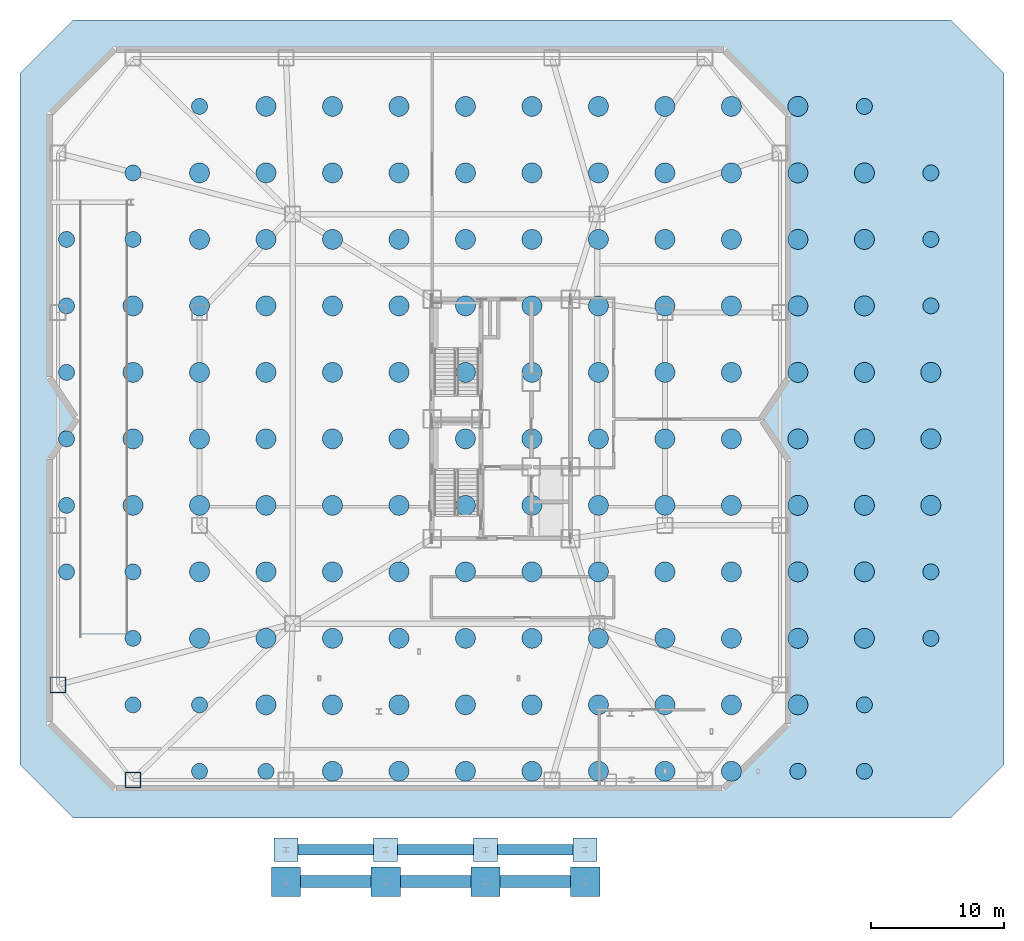
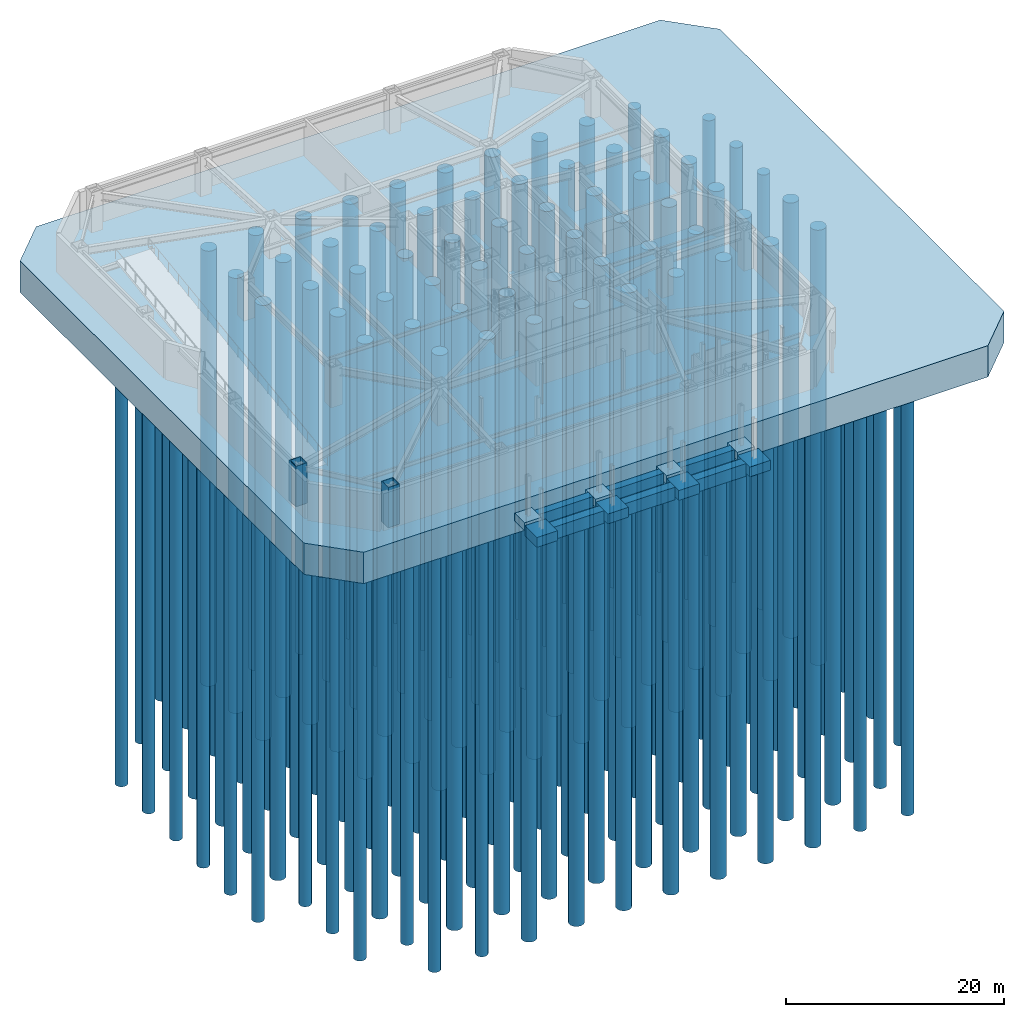
# One storey, part 1 of 15: 144 piles, 15 footings, 2 columns.
"""IFC4 building model written with IfcOpenShell, lengths in metres."""

from ifc_helpers import new_model, si_unit, direction, frame, origin, origin_2d, place, context, subcontext, project, spatial, polyline, rectangle, hollow_rectangle, circle, outline, extrude, material, layer, layer_set, material_profile, profile_set, type_object, element, save


model = new_model("IFC4")

# Units and contexts
model_context = context("Model", 3, precision=1e-05, world=origin(), true_north=direction((0.0, 1.0)))
body_context = subcontext(model_context, "Body", "Model", "MODEL_VIEW")
ifc_project = project(units=[si_unit("LENGTHUNIT", "METRE"), si_unit("AREAUNIT", "SQUARE_METRE"), si_unit("VOLUMEUNIT", "CUBIC_METRE"), si_unit("PLANEANGLEUNIT", "RADIAN"), si_unit("MASSUNIT", "GRAM", prefix="KILO")], contexts=[model_context])

# Site, building, storey
site_placement = place(None, origin())
site = spatial("IfcSite", under=ifc_project, at=site_placement, CompositionType="ELEMENT")
building_placement = place(site_placement, origin())
building = spatial("IfcBuilding", under=site, at=building_placement, Name="Khamvora Tower", CompositionType="ELEMENT")
storey_placement = place(building_placement, frame((0.0, 0.0, -9.0)))
storey = spatial("IfcBuildingStorey", under=building, at=storey_placement, Name="B2", CompositionType="ELEMENT", Elevation=-9.0)

# Footings
ifc_material_1 = material(Name="Concrete C40/50", Category="concrete")
ifc_material_profile_1 = material_profile(ifc_material_1, rectangle(XDim=0.800048828125, YDim=1.199951171875, at=origin_2d()), Name="CB800x1200")
ifc_profile_set_1 = profile_set([ifc_material_profile_1], Name="Concrete C40/50")
footing_type_1 = type_object("IfcFootingType", Name="FTG-CB-800x1200", PredefinedType="FOOTING_BEAM", material=ifc_profile_set_1)
for number, where, z_axis, x_axis, name in (
    (1, (18.89990234375, -4.39990234375, -0.60009765625), (1.0, 0.0, 0.0), (0.0, 1.0, 0.0), "Forecourt continuous ground tie beam S21"),
    (2, (26.39990234375, -4.39990234375, -0.60009765625), (1.0, 0.0, 0.0), (0.0, 1.0, 0.0), "Forecourt continuous ground tie beam S22"),
    (3, (33.89990234375, -4.39990234375, -0.60009765625), (1.0, 0.0, 0.0), (0.0, 1.0, 0.0), "Forecourt continuous ground tie beam S23"),
):
    element("IfcFooting", number, at=place(storey_placement, frame(where, z_axis=z_axis, x_axis=x_axis)), inside=storey, type_object=footing_type_1, Name=name, PredefinedType="FOOTING_BEAM", context=body_context, shape_type="SweptSolid", body=[
        extrude(rectangle(XDim=0.800048828125, YDim=1.199951171875, at=origin_2d()), origin(), (0.0, 0.0, 1.0), 5.7001953125),
    ])
ifc_material_profile_2 = material_profile(ifc_material_1, rectangle(XDim=0.89990234375, YDim=1.39990234375, at=origin_2d()), Name="GB900x1400")
ifc_profile_set_2 = profile_set([ifc_material_profile_2], Name="Concrete C40/50")
footing_type_2 = type_object("IfcFootingType", Name="FTG-GB-900x1400", PredefinedType="FOOTING_BEAM", material=ifc_profile_set_2)
for number, where, z_axis, x_axis, name in (
    (4, (19.10009765625, -6.800048828125, -0.699951171875), (1.0, 0.0, 0.0), (0.0, 1.0, 0.0), "Forecourt continuous ground tie beam S11"),
    (5, (26.60009765625, -6.800048828125, -0.699951171875), (1.0, 0.0, 0.0), (0.0, 1.0, 0.0), "Forecourt continuous ground tie beam S12"),
    (6, (34.10009765625, -6.800048828125, -0.699951171875), (1.0, 0.0, 0.0), (0.0, 1.0, 0.0), "Forecourt continuous ground tie beam S13"),
):
    element("IfcFooting", number, at=place(storey_placement, frame(where, z_axis=z_axis, x_axis=x_axis)), inside=storey, type_object=footing_type_2, Name=name, PredefinedType="FOOTING_BEAM", context=body_context, shape_type="SweptSolid", body=[
        extrude(rectangle(XDim=0.89990234375, YDim=1.39990234375, at=origin_2d()), origin(), (0.0, 0.0, 1.0), 5.2998046875),
    ])
footing_type_3 = type_object("IfcFootingType", Name="FTG-PAD-1800", PredefinedType="PAD_FOOTING", material=ifc_material_1)
for number, where, z_axis, x_axis, name in (
    (7, (18.0, -4.39990234375, -0.89990234375), (0.0, 0.0, 1.0), (1.0, 0.0, 0.0), "South forecourt canopy pad footing S21"),
    (8, (25.5, -4.39990234375, -0.89990234375), (0.0, 0.0, 1.0), (1.0, 0.0, 0.0), "South forecourt canopy pad footing S22"),
    (9, (33.0, -4.39990234375, -0.89990234375), (0.0, 0.0, 1.0), (1.0, 0.0, 0.0), "South forecourt canopy pad footing S23"),
    (10, (40.5, -4.39990234375, -0.89990234375), (0.0, 0.0, 1.0), (1.0, 0.0, 0.0), "South forecourt canopy pad footing S24"),
):
    element("IfcFooting", number, at=place(storey_placement, frame(where, z_axis=z_axis, x_axis=x_axis)), inside=storey, type_object=footing_type_3, Name=name, PredefinedType="PAD_FOOTING", context=body_context, shape_type="SweptSolid", body=[
        extrude(rectangle(XDim=1.800048828125, YDim=1.800048828125, at=origin_2d()), origin(), (0.0, 0.0, 1.0), 0.89990234375),
    ])
footing_type_4 = type_object("IfcFootingType", Name="FTG-PAD-2200", PredefinedType="PAD_FOOTING", material=ifc_material_1)
for number, where, z_axis, x_axis, name in (
    (11, (18.0, -6.800048828125, -1.10009765625), (0.0, 0.0, 1.0), (1.0, 0.0, 0.0), "South forecourt canopy pad footing S11"),
    (12, (25.5, -6.800048828125, -1.10009765625), (0.0, 0.0, 1.0), (1.0, 0.0, 0.0), "South forecourt canopy pad footing S12"),
    (13, (33.0, -6.800048828125, -1.10009765625), (0.0, 0.0, 1.0), (1.0, 0.0, 0.0), "South forecourt canopy pad footing S13"),
    (14, (40.5, -6.800048828125, -1.10009765625), (0.0, 0.0, 1.0), (1.0, 0.0, 0.0), "South forecourt canopy pad footing S14"),
):
    element("IfcFooting", number, at=place(storey_placement, frame(where, z_axis=z_axis, x_axis=x_axis)), inside=storey, type_object=footing_type_4, Name=name, PredefinedType="PAD_FOOTING", context=body_context, shape_type="SweptSolid", body=[
        extrude(rectangle(XDim=2.199951171875, YDim=2.199951171875, at=origin_2d()), origin(), (0.0, 0.0, 1.0), 1.10009765625),
    ])
ifc_material_2 = material(Name="Concrete C50/60", Category="concrete")
ifc_layer = layer(ifc_material_2, 3.5)
ifc_layer_set = layer_set([ifc_layer], Name="Concrete C50/60")
footing_type_5 = type_object("IfcFootingType", Name="FTG-RAFT-3500", PredefinedType="USERDEFINED", material=ifc_layer_set)
footing_placement = place(storey_placement, frame((0.0, 0.0, -3.5)))
element("IfcFooting", 15, at=footing_placement, inside=storey, type_object=footing_type_5, Name="Monolithic Piled Raft Foundation", ObjectType="PILED RAFT", PredefinedType="USERDEFINED", context=body_context, shape_type="SweptSolid", body=[
    extrude(outline(polyline([(2.0, -2.0), (68.0, -2.0), (72.0, 2.0), (72.0, 26.0), (72.0, 28.0), (72.0, 30.0), (72.0, 54.0), (68.0, 58.0), (2.0, 58.0), (-2.0, 54.0), (-2.0, 30.0), (-2.0, 28.0), (-2.0, 26.0), (-2.0, 2.0), (2.0, -2.0)])), origin(), (0.0, 0.0, 1.0), 3.5),
])

# Piles
ifc_material_profile_3 = material_profile(ifc_material_1, circle(Radius=0.60009765625, at=origin_2d()), Name="PILE_D1200")
ifc_profile_set_3 = profile_set([ifc_material_profile_3], Name="Concrete C40/50")
pile_type_1 = type_object("IfcPileType", Name="PILE-BORED-1200", PredefinedType="BORED", material=ifc_profile_set_3)
for number, where, z_axis, x_axis, name in (
    (16, (1.5, 16.5, -3.35009765625), (0.0, 0.0, -1.0), (1.0, 0.0, 0.0), "Bored foundation pile D1200 001"),
    (17, (1.5, 21.5, -3.35009765625), (0.0, 0.0, -1.0), (1.0, 0.0, 0.0), "Bored foundation pile D1200 002"),
    (18, (1.5, 26.5, -3.35009765625), (0.0, 0.0, -1.0), (1.0, 0.0, 0.0), "Bored foundation pile D1200 003"),
    (19, (1.5, 31.5, -3.35009765625), (0.0, 0.0, -1.0), (1.0, 0.0, 0.0), "Bored foundation pile D1200 004"),
    (20, (1.5, 36.5, -3.35009765625), (0.0, 0.0, -1.0), (1.0, 0.0, 0.0), "Bored foundation pile D1200 005"),
    (21, (1.5, 41.5, -3.35009765625), (0.0, 0.0, -1.0), (1.0, 0.0, 0.0), "Bored foundation pile D1200 006"),
    (22, (6.5, 6.5, -3.35009765625), (0.0, 0.0, -1.0), (1.0, 0.0, 0.0), "Bored foundation pile D1200 007"),
    (23, (6.5, 11.5, -3.35009765625), (0.0, 0.0, -1.0), (1.0, 0.0, 0.0), "Bored foundation pile D1200 008"),
    (24, (6.5, 16.5, -3.35009765625), (0.0, 0.0, -1.0), (1.0, 0.0, 0.0), "Bored foundation pile D1200 009"),
    (25, (6.5, 41.5, -3.35009765625), (0.0, 0.0, -1.0), (1.0, 0.0, 0.0), "Bored foundation pile D1200 010"),
    (26, (6.5, 46.5, -3.35009765625), (0.0, 0.0, -1.0), (1.0, 0.0, 0.0), "Bored foundation pile D1200 011"),
    (27, (11.5, 1.5, -3.35009765625), (0.0, 0.0, -1.0), (1.0, 0.0, 0.0), "Bored foundation pile D1200 012"),
    (28, (11.5, 6.5, -3.35009765625), (0.0, 0.0, -1.0), (1.0, 0.0, 0.0), "Bored foundation pile D1200 013"),
    (29, (11.5, 51.5, -3.35009765625), (0.0, 0.0, -1.0), (1.0, 0.0, 0.0), "Bored foundation pile D1200 014"),
    (30, (16.5, 1.5, -3.35009765625), (0.0, 0.0, -1.0), (1.0, 0.0, 0.0), "Bored foundation pile D1200 015"),
    (31, (56.5, 1.5, -3.35009765625), (0.0, 0.0, -1.0), (1.0, 0.0, 0.0), "Bored foundation pile D1200 016"),
    (32, (61.5, 1.5, -3.35009765625), (0.0, 0.0, -1.0), (1.0, 0.0, 0.0), "Bored foundation pile D1200 017"),
    (33, (61.5, 6.5, -3.35009765625), (0.0, 0.0, -1.0), (1.0, 0.0, 0.0), "Bored foundation pile D1200 018"),
    (34, (61.5, 51.5, -3.35009765625), (0.0, 0.0, -1.0), (1.0, 0.0, 0.0), "Bored foundation pile D1200 019"),
    (35, (66.5, 11.5, -3.35009765625), (0.0, 0.0, -1.0), (1.0, 0.0, 0.0), "Bored foundation pile D1200 020"),
    (36, (66.5, 16.5, -3.35009765625), (0.0, 0.0, -1.0), (1.0, 0.0, 0.0), "Bored foundation pile D1200 021"),
    (37, (66.5, 36.5, -3.35009765625), (0.0, 0.0, -1.0), (1.0, 0.0, 0.0), "Bored foundation pile D1200 022"),
    (38, (66.5, 41.5, -3.35009765625), (0.0, 0.0, -1.0), (1.0, 0.0, 0.0), "Bored foundation pile D1200 023"),
    (39, (66.5, 46.5, -3.35009765625), (0.0, 0.0, -1.0), (1.0, 0.0, 0.0), "Bored foundation pile D1200 024"),
):
    element("IfcPile", number, at=place(storey_placement, frame(where, z_axis=z_axis, x_axis=x_axis)), inside=storey, type_object=pile_type_1, Name=name, PredefinedType="BORED", context=body_context, shape_type="SweptSolid", body=[
        extrude(circle(Radius=0.60009765625, at=origin_2d()), origin(), (0.0, 0.0, 1.0), 48.64990234375),
    ])
ifc_material_profile_4 = material_profile(ifc_material_1, circle(Radius=0.75, at=origin_2d()), Name="PILE_D1500")
ifc_profile_set_4 = profile_set([ifc_material_profile_4], Name="Concrete C40/50")
pile_type_2 = type_object("IfcPileType", Name="PILE-BORED-1500", PredefinedType="BORED", material=ifc_profile_set_4)
for number, where, z_axis, x_axis, name in (
    (40, (6.5, 21.5, -3.35009765625), (0.0, 0.0, -1.0), (1.0, 0.0, 0.0), "Bored foundation pile D1500 001"),
    (41, (6.5, 26.5, -3.35009765625), (0.0, 0.0, -1.0), (1.0, 0.0, 0.0), "Bored foundation pile D1500 002"),
    (42, (6.5, 31.5, -3.35009765625), (0.0, 0.0, -1.0), (1.0, 0.0, 0.0), "Bored foundation pile D1500 003"),
    (43, (6.5, 36.5, -3.35009765625), (0.0, 0.0, -1.0), (1.0, 0.0, 0.0), "Bored foundation pile D1500 004"),
    (44, (11.5, 11.5, -3.35009765625), (0.0, 0.0, -1.0), (1.0, 0.0, 0.0), "Bored foundation pile D1500 005"),
    (45, (11.5, 16.5, -3.35009765625), (0.0, 0.0, -1.0), (1.0, 0.0, 0.0), "Bored foundation pile D1500 006"),
    (46, (11.5, 21.5, -3.35009765625), (0.0, 0.0, -1.0), (1.0, 0.0, 0.0), "Bored foundation pile D1500 007"),
    (47, (11.5, 26.5, -3.35009765625), (0.0, 0.0, -1.0), (1.0, 0.0, 0.0), "Bored foundation pile D1500 008"),
    (48, (11.5, 31.5, -3.35009765625), (0.0, 0.0, -1.0), (1.0, 0.0, 0.0), "Bored foundation pile D1500 009"),
    (49, (11.5, 36.5, -3.35009765625), (0.0, 0.0, -1.0), (1.0, 0.0, 0.0), "Bored foundation pile D1500 010"),
    (50, (11.5, 41.5, -3.35009765625), (0.0, 0.0, -1.0), (1.0, 0.0, 0.0), "Bored foundation pile D1500 011"),
    (51, (11.5, 46.5, -3.35009765625), (0.0, 0.0, -1.0), (1.0, 0.0, 0.0), "Bored foundation pile D1500 012"),
    (52, (16.5, 6.5, -3.35009765625), (0.0, 0.0, -1.0), (1.0, 0.0, 0.0), "Bored foundation pile D1500 013"),
    (53, (16.5, 11.5, -3.35009765625), (0.0, 0.0, -1.0), (1.0, 0.0, 0.0), "Bored foundation pile D1500 014"),
    (54, (16.5, 16.5, -3.35009765625), (0.0, 0.0, -1.0), (1.0, 0.0, 0.0), "Bored foundation pile D1500 015"),
    (55, (16.5, 21.5, -3.35009765625), (0.0, 0.0, -1.0), (1.0, 0.0, 0.0), "Bored foundation pile D1500 016"),
    (56, (16.5, 26.5, -3.35009765625), (0.0, 0.0, -1.0), (1.0, 0.0, 0.0), "Bored foundation pile D1500 017"),
    (57, (16.5, 31.5, -3.35009765625), (0.0, 0.0, -1.0), (1.0, 0.0, 0.0), "Bored foundation pile D1500 018"),
    (58, (16.5, 36.5, -3.35009765625), (0.0, 0.0, -1.0), (1.0, 0.0, 0.0), "Bored foundation pile D1500 019"),
    (59, (16.5, 41.5, -3.35009765625), (0.0, 0.0, -1.0), (1.0, 0.0, 0.0), "Bored foundation pile D1500 020"),
    (60, (16.5, 46.5, -3.35009765625), (0.0, 0.0, -1.0), (1.0, 0.0, 0.0), "Bored foundation pile D1500 021"),
    (61, (16.5, 51.5, -3.35009765625), (0.0, 0.0, -1.0), (1.0, 0.0, 0.0), "Bored foundation pile D1500 022"),
    (62, (21.5, 1.5, -3.35009765625), (0.0, 0.0, -1.0), (1.0, 0.0, 0.0), "Bored foundation pile D1500 023"),
    (63, (21.5, 6.5, -3.35009765625), (0.0, 0.0, -1.0), (1.0, 0.0, 0.0), "Bored foundation pile D1500 024"),
    (64, (21.5, 11.5, -3.35009765625), (0.0, 0.0, -1.0), (1.0, 0.0, 0.0), "Bored foundation pile D1500 025"),
    (65, (21.5, 16.5, -3.35009765625), (0.0, 0.0, -1.0), (1.0, 0.0, 0.0), "Bored foundation pile D1500 026"),
    (66, (21.5, 21.5, -3.35009765625), (0.0, 0.0, -1.0), (1.0, 0.0, 0.0), "Bored foundation pile D1500 027"),
    (67, (21.5, 26.5, -3.35009765625), (0.0, 0.0, -1.0), (1.0, 0.0, 0.0), "Bored foundation pile D1500 028"),
    (68, (21.5, 31.5, -3.35009765625), (0.0, 0.0, -1.0), (1.0, 0.0, 0.0), "Bored foundation pile D1500 029"),
    (69, (21.5, 36.5, -3.35009765625), (0.0, 0.0, -1.0), (1.0, 0.0, 0.0), "Bored foundation pile D1500 030"),
    (70, (21.5, 41.5, -3.35009765625), (0.0, 0.0, -1.0), (1.0, 0.0, 0.0), "Bored foundation pile D1500 031"),
    (71, (21.5, 46.5, -3.35009765625), (0.0, 0.0, -1.0), (1.0, 0.0, 0.0), "Bored foundation pile D1500 032"),
    (72, (21.5, 51.5, -3.35009765625), (0.0, 0.0, -1.0), (1.0, 0.0, 0.0), "Bored foundation pile D1500 033"),
    (73, (26.5, 1.5, -3.35009765625), (0.0, 0.0, -1.0), (1.0, 0.0, 0.0), "Bored foundation pile D1500 034"),
    (74, (26.5, 6.5, -3.35009765625), (0.0, 0.0, -1.0), (1.0, 0.0, 0.0), "Bored foundation pile D1500 035"),
    (75, (26.5, 11.5, -3.35009765625), (0.0, 0.0, -1.0), (1.0, 0.0, 0.0), "Bored foundation pile D1500 036"),
    (76, (26.5, 16.5, -3.35009765625), (0.0, 0.0, -1.0), (1.0, 0.0, 0.0), "Bored foundation pile D1500 037"),
    (77, (26.5, 21.5, -3.35009765625), (0.0, 0.0, -1.0), (1.0, 0.0, 0.0), "Bored foundation pile D1500 038"),
    (78, (26.5, 26.5, -3.35009765625), (0.0, 0.0, -1.0), (1.0, 0.0, 0.0), "Bored foundation pile D1500 039"),
    (79, (26.5, 31.5, -3.35009765625), (0.0, 0.0, -1.0), (1.0, 0.0, 0.0), "Bored foundation pile D1500 040"),
    (80, (26.5, 36.5, -3.35009765625), (0.0, 0.0, -1.0), (1.0, 0.0, 0.0), "Bored foundation pile D1500 041"),
    (81, (26.5, 41.5, -3.35009765625), (0.0, 0.0, -1.0), (1.0, 0.0, 0.0), "Bored foundation pile D1500 042"),
    (82, (26.5, 46.5, -3.35009765625), (0.0, 0.0, -1.0), (1.0, 0.0, 0.0), "Bored foundation pile D1500 043"),
    (83, (26.5, 51.5, -3.35009765625), (0.0, 0.0, -1.0), (1.0, 0.0, 0.0), "Bored foundation pile D1500 044"),
    (84, (31.5, 1.5, -3.35009765625), (0.0, 0.0, -1.0), (1.0, 0.0, 0.0), "Bored foundation pile D1500 045"),
    (85, (31.5, 6.5, -3.35009765625), (0.0, 0.0, -1.0), (1.0, 0.0, 0.0), "Bored foundation pile D1500 046"),
    (86, (31.5, 11.5, -3.35009765625), (0.0, 0.0, -1.0), (1.0, 0.0, 0.0), "Bored foundation pile D1500 047"),
    (87, (31.5, 16.5, -3.35009765625), (0.0, 0.0, -1.0), (1.0, 0.0, 0.0), "Bored foundation pile D1500 048"),
    (88, (31.5, 21.5, -3.35009765625), (0.0, 0.0, -1.0), (1.0, 0.0, 0.0), "Bored foundation pile D1500 049"),
    (89, (31.5, 26.5, -3.35009765625), (0.0, 0.0, -1.0), (1.0, 0.0, 0.0), "Bored foundation pile D1500 050"),
    (90, (31.5, 31.5, -3.35009765625), (0.0, 0.0, -1.0), (1.0, 0.0, 0.0), "Bored foundation pile D1500 051"),
    (91, (31.5, 36.5, -3.35009765625), (0.0, 0.0, -1.0), (1.0, 0.0, 0.0), "Bored foundation pile D1500 052"),
    (92, (31.5, 41.5, -3.35009765625), (0.0, 0.0, -1.0), (1.0, 0.0, 0.0), "Bored foundation pile D1500 053"),
    (93, (31.5, 46.5, -3.35009765625), (0.0, 0.0, -1.0), (1.0, 0.0, 0.0), "Bored foundation pile D1500 054"),
    (94, (31.5, 51.5, -3.35009765625), (0.0, 0.0, -1.0), (1.0, 0.0, 0.0), "Bored foundation pile D1500 055"),
    (95, (36.5, 1.5, -3.35009765625), (0.0, 0.0, -1.0), (1.0, 0.0, 0.0), "Bored foundation pile D1500 056"),
    (96, (36.5, 6.5, -3.35009765625), (0.0, 0.0, -1.0), (1.0, 0.0, 0.0), "Bored foundation pile D1500 057"),
    (97, (36.5, 11.5, -3.35009765625), (0.0, 0.0, -1.0), (1.0, 0.0, 0.0), "Bored foundation pile D1500 058"),
    (98, (36.5, 16.5, -3.35009765625), (0.0, 0.0, -1.0), (1.0, 0.0, 0.0), "Bored foundation pile D1500 059"),
    (99, (36.5, 21.5, -3.35009765625), (0.0, 0.0, -1.0), (1.0, 0.0, 0.0), "Bored foundation pile D1500 060"),
    (100, (36.5, 26.5, -3.35009765625), (0.0, 0.0, -1.0), (1.0, 0.0, 0.0), "Bored foundation pile D1500 061"),
    (101, (36.5, 31.5, -3.35009765625), (0.0, 0.0, -1.0), (1.0, 0.0, 0.0), "Bored foundation pile D1500 062"),
    (102, (36.5, 36.5, -3.35009765625), (0.0, 0.0, -1.0), (1.0, 0.0, 0.0), "Bored foundation pile D1500 063"),
    (103, (36.5, 41.5, -3.35009765625), (0.0, 0.0, -1.0), (1.0, 0.0, 0.0), "Bored foundation pile D1500 064"),
    (104, (36.5, 46.5, -3.35009765625), (0.0, 0.0, -1.0), (1.0, 0.0, 0.0), "Bored foundation pile D1500 065"),
    (105, (36.5, 51.5, -3.35009765625), (0.0, 0.0, -1.0), (1.0, 0.0, 0.0), "Bored foundation pile D1500 066"),
    (106, (41.5, 1.5, -3.35009765625), (0.0, 0.0, -1.0), (1.0, 0.0, 0.0), "Bored foundation pile D1500 067"),
    (107, (41.5, 6.5, -3.35009765625), (0.0, 0.0, -1.0), (1.0, 0.0, 0.0), "Bored foundation pile D1500 068"),
    (108, (41.5, 11.5, -3.35009765625), (0.0, 0.0, -1.0), (1.0, 0.0, 0.0), "Bored foundation pile D1500 069"),
    (109, (41.5, 16.5, -3.35009765625), (0.0, 0.0, -1.0), (1.0, 0.0, 0.0), "Bored foundation pile D1500 070"),
    (110, (41.5, 21.5, -3.35009765625), (0.0, 0.0, -1.0), (1.0, 0.0, 0.0), "Bored foundation pile D1500 071"),
    (111, (41.5, 26.5, -3.35009765625), (0.0, 0.0, -1.0), (1.0, 0.0, 0.0), "Bored foundation pile D1500 072"),
    (112, (41.5, 31.5, -3.35009765625), (0.0, 0.0, -1.0), (1.0, 0.0, 0.0), "Bored foundation pile D1500 073"),
    (113, (41.5, 36.5, -3.35009765625), (0.0, 0.0, -1.0), (1.0, 0.0, 0.0), "Bored foundation pile D1500 074"),
    (114, (41.5, 41.5, -3.35009765625), (0.0, 0.0, -1.0), (1.0, 0.0, 0.0), "Bored foundation pile D1500 075"),
    (115, (41.5, 46.5, -3.35009765625), (0.0, 0.0, -1.0), (1.0, 0.0, 0.0), "Bored foundation pile D1500 076"),
    (116, (41.5, 51.5, -3.35009765625), (0.0, 0.0, -1.0), (1.0, 0.0, 0.0), "Bored foundation pile D1500 077"),
    (117, (46.5, 1.5, -3.35009765625), (0.0, 0.0, -1.0), (1.0, 0.0, 0.0), "Bored foundation pile D1500 078"),
    (118, (46.5, 6.5, -3.35009765625), (0.0, 0.0, -1.0), (1.0, 0.0, 0.0), "Bored foundation pile D1500 079"),
    (119, (46.5, 11.5, -3.35009765625), (0.0, 0.0, -1.0), (1.0, 0.0, 0.0), "Bored foundation pile D1500 080"),
    (120, (46.5, 16.5, -3.35009765625), (0.0, 0.0, -1.0), (1.0, 0.0, 0.0), "Bored foundation pile D1500 081"),
    (121, (46.5, 21.5, -3.35009765625), (0.0, 0.0, -1.0), (1.0, 0.0, 0.0), "Bored foundation pile D1500 082"),
    (122, (46.5, 26.5, -3.35009765625), (0.0, 0.0, -1.0), (1.0, 0.0, 0.0), "Bored foundation pile D1500 083"),
    (123, (46.5, 31.5, -3.35009765625), (0.0, 0.0, -1.0), (1.0, 0.0, 0.0), "Bored foundation pile D1500 084"),
    (124, (46.5, 36.5, -3.35009765625), (0.0, 0.0, -1.0), (1.0, 0.0, 0.0), "Bored foundation pile D1500 085"),
    (125, (46.5, 41.5, -3.35009765625), (0.0, 0.0, -1.0), (1.0, 0.0, 0.0), "Bored foundation pile D1500 086"),
    (126, (46.5, 46.5, -3.35009765625), (0.0, 0.0, -1.0), (1.0, 0.0, 0.0), "Bored foundation pile D1500 087"),
    (127, (46.5, 51.5, -3.35009765625), (0.0, 0.0, -1.0), (1.0, 0.0, 0.0), "Bored foundation pile D1500 088"),
    (128, (51.5, 1.5, -3.35009765625), (0.0, 0.0, -1.0), (1.0, 0.0, 0.0), "Bored foundation pile D1500 089"),
    (129, (51.5, 6.5, -3.35009765625), (0.0, 0.0, -1.0), (1.0, 0.0, 0.0), "Bored foundation pile D1500 090"),
    (130, (51.5, 11.5, -3.35009765625), (0.0, 0.0, -1.0), (1.0, 0.0, 0.0), "Bored foundation pile D1500 091"),
    (131, (51.5, 16.5, -3.35009765625), (0.0, 0.0, -1.0), (1.0, 0.0, 0.0), "Bored foundation pile D1500 092"),
    (132, (51.5, 21.5, -3.35009765625), (0.0, 0.0, -1.0), (1.0, 0.0, 0.0), "Bored foundation pile D1500 093"),
    (133, (51.5, 26.5, -3.35009765625), (0.0, 0.0, -1.0), (1.0, 0.0, 0.0), "Bored foundation pile D1500 094"),
    (134, (51.5, 31.5, -3.35009765625), (0.0, 0.0, -1.0), (1.0, 0.0, 0.0), "Bored foundation pile D1500 095"),
    (135, (51.5, 36.5, -3.35009765625), (0.0, 0.0, -1.0), (1.0, 0.0, 0.0), "Bored foundation pile D1500 096"),
    (136, (51.5, 41.5, -3.35009765625), (0.0, 0.0, -1.0), (1.0, 0.0, 0.0), "Bored foundation pile D1500 097"),
    (137, (51.5, 46.5, -3.35009765625), (0.0, 0.0, -1.0), (1.0, 0.0, 0.0), "Bored foundation pile D1500 098"),
    (138, (51.5, 51.5, -3.35009765625), (0.0, 0.0, -1.0), (1.0, 0.0, 0.0), "Bored foundation pile D1500 099"),
    (139, (56.5, 6.5, -3.35009765625), (0.0, 0.0, -1.0), (1.0, 0.0, 0.0), "Bored foundation pile D1500 100"),
    (140, (56.5, 11.5, -3.35009765625), (0.0, 0.0, -1.0), (1.0, 0.0, 0.0), "Bored foundation pile D1500 101"),
    (141, (56.5, 16.5, -3.35009765625), (0.0, 0.0, -1.0), (1.0, 0.0, 0.0), "Bored foundation pile D1500 102"),
    (142, (56.5, 21.5, -3.35009765625), (0.0, 0.0, -1.0), (1.0, 0.0, 0.0), "Bored foundation pile D1500 103"),
    (143, (56.5, 26.5, -3.35009765625), (0.0, 0.0, -1.0), (1.0, 0.0, 0.0), "Bored foundation pile D1500 104"),
    (144, (56.5, 31.5, -3.35009765625), (0.0, 0.0, -1.0), (1.0, 0.0, 0.0), "Bored foundation pile D1500 105"),
    (145, (56.5, 36.5, -3.35009765625), (0.0, 0.0, -1.0), (1.0, 0.0, 0.0), "Bored foundation pile D1500 106"),
    (146, (56.5, 41.5, -3.35009765625), (0.0, 0.0, -1.0), (1.0, 0.0, 0.0), "Bored foundation pile D1500 107"),
    (147, (56.5, 46.5, -3.35009765625), (0.0, 0.0, -1.0), (1.0, 0.0, 0.0), "Bored foundation pile D1500 108"),
    (148, (56.5, 51.5, -3.35009765625), (0.0, 0.0, -1.0), (1.0, 0.0, 0.0), "Bored foundation pile D1500 109"),
    (149, (61.5, 11.5, -3.35009765625), (0.0, 0.0, -1.0), (1.0, 0.0, 0.0), "Bored foundation pile D1500 110"),
    (150, (61.5, 16.5, -3.35009765625), (0.0, 0.0, -1.0), (1.0, 0.0, 0.0), "Bored foundation pile D1500 111"),
    (151, (61.5, 21.5, -3.35009765625), (0.0, 0.0, -1.0), (1.0, 0.0, 0.0), "Bored foundation pile D1500 112"),
    (152, (61.5, 26.5, -3.35009765625), (0.0, 0.0, -1.0), (1.0, 0.0, 0.0), "Bored foundation pile D1500 113"),
    (153, (61.5, 31.5, -3.35009765625), (0.0, 0.0, -1.0), (1.0, 0.0, 0.0), "Bored foundation pile D1500 114"),
    (154, (61.5, 36.5, -3.35009765625), (0.0, 0.0, -1.0), (1.0, 0.0, 0.0), "Bored foundation pile D1500 115"),
    (155, (61.5, 41.5, -3.35009765625), (0.0, 0.0, -1.0), (1.0, 0.0, 0.0), "Bored foundation pile D1500 116"),
    (156, (61.5, 46.5, -3.35009765625), (0.0, 0.0, -1.0), (1.0, 0.0, 0.0), "Bored foundation pile D1500 117"),
    (157, (66.5, 21.5, -3.35009765625), (0.0, 0.0, -1.0), (1.0, 0.0, 0.0), "Bored foundation pile D1500 118"),
    (158, (66.5, 26.5, -3.35009765625), (0.0, 0.0, -1.0), (1.0, 0.0, 0.0), "Bored foundation pile D1500 119"),
    (159, (66.5, 31.5, -3.35009765625), (0.0, 0.0, -1.0), (1.0, 0.0, 0.0), "Bored foundation pile D1500 120"),
):
    element("IfcPile", number, at=place(storey_placement, frame(where, z_axis=z_axis, x_axis=x_axis)), inside=storey, type_object=pile_type_2, Name=name, PredefinedType="BORED", context=body_context, shape_type="SweptSolid", body=[
        extrude(circle(Radius=0.75, at=origin_2d()), origin(), (0.0, 0.0, 1.0), 48.64990234375),
    ])

# Columns
ifc_material_3 = material(Name="Steel S460", Category="steel")
ifc_material_profile_5 = material_profile(ifc_material_3, hollow_rectangle(XDim=1.199951171875, YDim=1.199951171875, WallThickness=0.06005859375, at=origin_2d()), Name="BOX1200x1200x60")
ifc_profile_set_5 = profile_set([ifc_material_profile_5], Name="Steel S460")
column_type = type_object("IfcColumnType", Name="COL-BOX1200", PredefinedType="COLUMN", material=ifc_profile_set_5)
for number, where, z_axis, x_axis, name in (
    (160, (6.5, 0.85009765625, 0.0), (0.0, 0.0, 1.0), (1.0, 0.0, 0.0), "B2 structural frame column P01"),
    (161, (0.85009765625, 8.0, 0.0), (0.0, 0.0, 1.0), (1.0, 0.0, 0.0), "B2 structural frame column P09"),
):
    element("IfcColumn", number, at=place(storey_placement, frame(where, z_axis=z_axis, x_axis=x_axis)), inside=storey, type_object=column_type, Name=name, PredefinedType="COLUMN", context=body_context, shape_type="SweptSolid", body=[
        extrude(hollow_rectangle(XDim=1.199951171875, YDim=1.199951171875, WallThickness=0.06005859375, at=origin_2d()), origin(), (0.0, 0.0, 1.0), 4.5),
    ])

save(model, "model.ifc")
